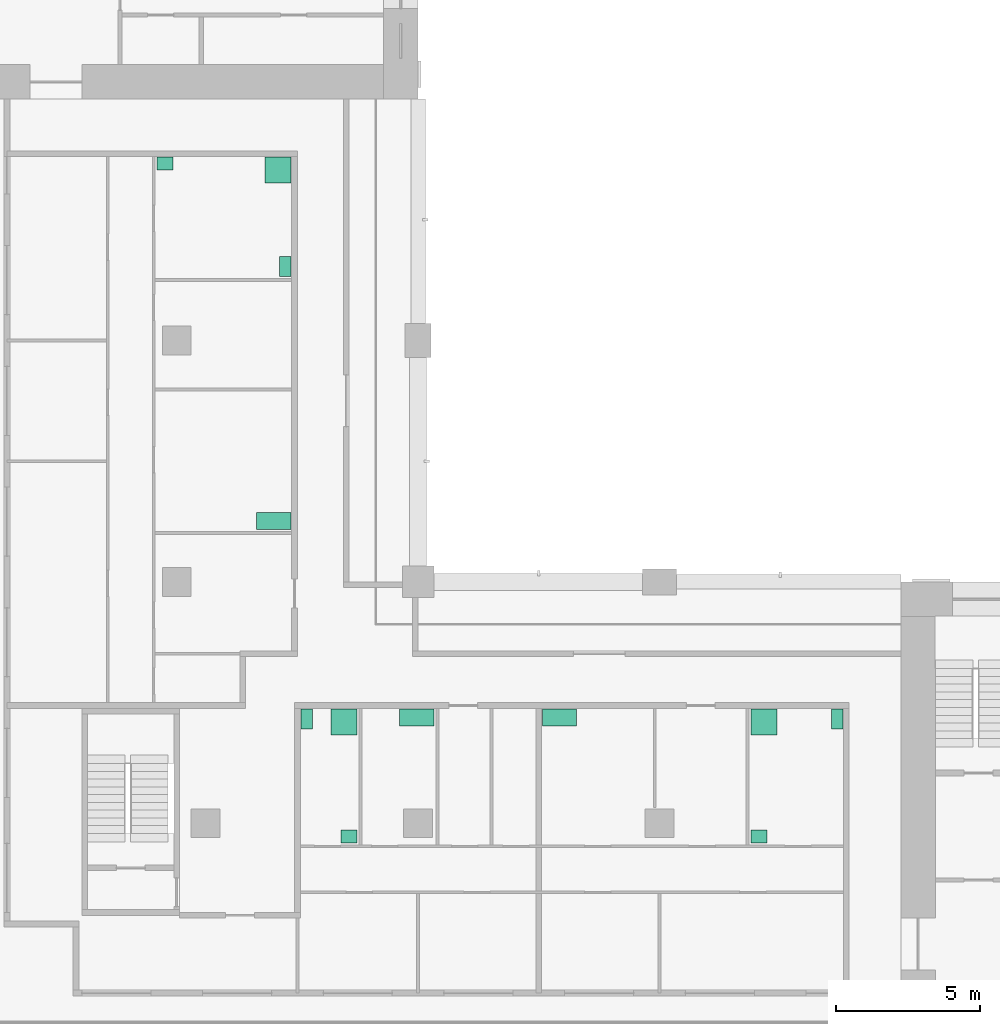
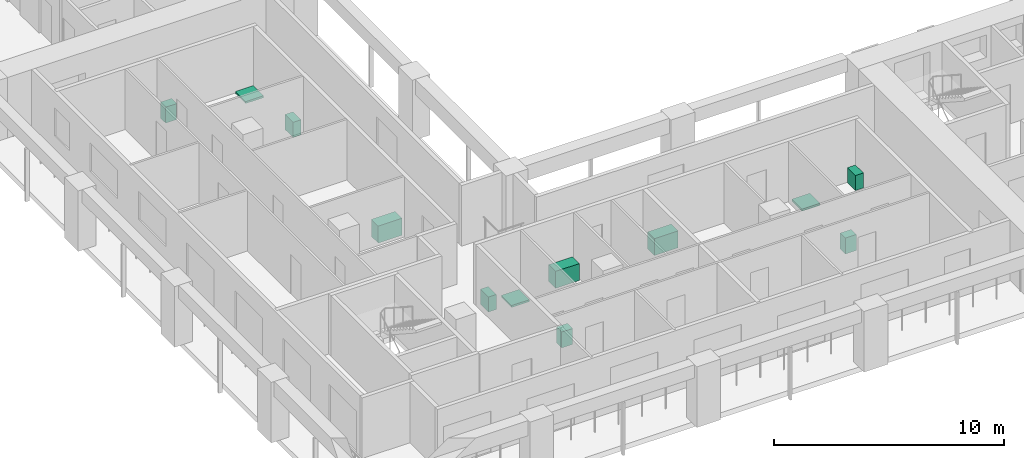
# One storey, part 11 of 11: 12 sanitary terminals.
"""IFC4 building model written with IfcOpenShell, lengths in metres."""

from ifc_helpers import new_model, si_unit, direction, frame, origin, origin_2d, place, context, subcontext, project, spatial, rectangle, extrude, material, element, save


model = new_model("IFC4")

# Units and contexts
model_context = context("Model", 3, precision=1e-05, world=origin(), true_north=direction((0.0, 1.0)))
body_context = subcontext(model_context, "Body", "Model", "MODEL_VIEW")
ifc_project = project(units=[si_unit("LENGTHUNIT", "METRE"), si_unit("AREAUNIT", "SQUARE_METRE"), si_unit("VOLUMEUNIT", "CUBIC_METRE"), si_unit("PLANEANGLEUNIT", "RADIAN"), si_unit("MASSUNIT", "GRAM", prefix="KILO")], contexts=[model_context])

# Site, building, storey
site_placement = place(None, origin())
site = spatial("IfcSite", under=ifc_project, at=site_placement, CompositionType="ELEMENT")
building_placement = place(site_placement, origin())
building = spatial("IfcBuilding", under=site, at=building_placement, Name="Vermilion Gate Residences", CompositionType="ELEMENT")
storey_placement = place(building_placement, frame((0.0, 0.0, 200.199951171875)))
storey = spatial("IfcBuildingStorey", under=building, at=storey_placement, Name="L52", CompositionType="ELEMENT", Elevation=200.199951171875)

# Sanitary terminals
ifc_material_1 = material(Name="Vitreous china")
sanitary_terminal_1_placement = place(storey_placement, frame((22.6201171875, 20.330078125, 0.0), z_axis=(0.0, 0.0, 1.0), x_axis=(1.0, 0.0, 0.0)))
element("IfcSanitaryTerminal", 1, at=sanitary_terminal_1_placement, inside=storey, material=ifc_material_1, Name="Shower tray", PredefinedType="SHOWER", context=body_context, shape_type="SweptSolid", body=[
    extrude(rectangle(XDim=0.89990234375, YDim=0.89990234375, at=origin_2d()), origin(), (0.0, 0.0, 1.0), 0.10009765625),
])
sanitary_terminal_2_placement = place(storey_placement, frame((21.320068359375, 20.429931640625, 0.0), z_axis=(0.0, 0.0, 1.0), x_axis=(1.0, 0.0, 0.0)))
element("IfcSanitaryTerminal", 2, at=sanitary_terminal_2_placement, inside=storey, material=ifc_material_1, Name="Toilet", PredefinedType="TOILETPAN", context=body_context, shape_type="SweptSolid", body=[
    extrude(rectangle(XDim=0.39990234375, YDim=0.699951171875, at=origin_2d()), origin(), (0.0, 0.0, 1.0), 0.800048828125),
])
sanitary_terminal_3_placement = place(storey_placement, frame((22.794921875, 16.344970703125, 0.0), z_axis=(0.0, 0.0, 1.0), x_axis=(1.0, 0.0, 0.0)))
element("IfcSanitaryTerminal", 3, at=sanitary_terminal_3_placement, inside=storey, material=ifc_material_1, Name="Wash basin", PredefinedType="WASHHANDBASIN", context=body_context, shape_type="SweptSolid", body=[
    extrude(rectangle(XDim=0.550048828125, YDim=0.449951171875, at=origin_2d()), origin(), (0.0, 0.0, 1.0), 0.85009765625),
])
ifc_material_2 = material(Name="Stainless steel", Category="steel")
for number, where, z_axis, x_axis, name in (
    (4, (25.154052734375, 20.47998046875, 0.0), (0.0, 0.0, 1.0), (1.0, 0.0, 0.0), "Kitchen sink"),
    (5, (30.1201171875, 20.47998046875, 0.0), (0.0, 0.0, 1.0), (1.0, 0.0, 0.0), "Kitchen sink"),
):
    element("IfcSanitaryTerminal", number, at=place(storey_placement, frame(where, z_axis=z_axis, x_axis=x_axis)), inside=storey, material=ifc_material_2, Name=name, PredefinedType="SINK", context=body_context, shape_type="SweptSolid", body=[
        extrude(rectangle(XDim=1.199951171875, YDim=0.60009765625, at=origin_2d()), origin(), (0.0, 0.0, 1.0), 0.89990234375),
    ])
sanitary_terminal_4_placement = place(storey_placement, frame((37.237060546875, 20.330078125, 0.0), z_axis=(0.0, 0.0, 1.0), x_axis=(1.0, 0.0, 0.0)))
element("IfcSanitaryTerminal", 6, at=sanitary_terminal_4_placement, inside=storey, material=ifc_material_1, Name="Shower tray", PredefinedType="SHOWER", context=body_context, shape_type="SweptSolid", body=[
    extrude(rectangle(XDim=0.89990234375, YDim=0.89990234375, at=origin_2d()), origin(), (0.0, 0.0, 1.0), 0.10009765625),
])
sanitary_terminal_5_placement = place(storey_placement, frame((39.780029296875, 20.429931640625, 0.0), z_axis=(0.0, 0.0, 1.0), x_axis=(1.0, 0.0, 0.0)))
element("IfcSanitaryTerminal", 7, at=sanitary_terminal_5_placement, inside=storey, material=ifc_material_1, Name="Toilet", PredefinedType="TOILETPAN", context=body_context, shape_type="SweptSolid", body=[
    extrude(rectangle(XDim=0.39990234375, YDim=0.699951171875, at=origin_2d()), origin(), (0.0, 0.0, 1.0), 0.800048828125),
])
sanitary_terminal_6_placement = place(storey_placement, frame((37.06201171875, 16.344970703125, 0.0), z_axis=(0.0, 0.0, 1.0), x_axis=(1.0, 0.0, 0.0)))
element("IfcSanitaryTerminal", 8, at=sanitary_terminal_6_placement, inside=storey, material=ifc_material_1, Name="Wash basin", PredefinedType="WASHHANDBASIN", context=body_context, shape_type="SweptSolid", body=[
    extrude(rectangle(XDim=0.550048828125, YDim=0.449951171875, at=origin_2d()), origin(), (0.0, 0.0, 1.0), 0.85009765625),
])
sanitary_terminal_7_placement = place(storey_placement, frame((20.179931640625, 27.320068359375, 0.0), z_axis=(0.0, 0.0, 1.0), x_axis=(1.0, 0.0, 0.0)))
element("IfcSanitaryTerminal", 9, at=sanitary_terminal_7_placement, inside=storey, material=ifc_material_2, Name="Kitchen sink", PredefinedType="SINK", context=body_context, shape_type="SweptSolid", body=[
    extrude(rectangle(XDim=1.199951171875, YDim=0.60009765625, at=origin_2d()), origin(), (0.0, 0.0, 1.0), 0.89990234375),
])
sanitary_terminal_8_placement = place(storey_placement, frame((20.330078125, 39.530029296875, 0.0), z_axis=(0.0, 0.0, 1.0), x_axis=(1.0, 0.0, 0.0)))
element("IfcSanitaryTerminal", 10, at=sanitary_terminal_8_placement, inside=storey, material=ifc_material_1, Name="Shower tray", PredefinedType="SHOWER", context=body_context, shape_type="SweptSolid", body=[
    extrude(rectangle(XDim=0.89990234375, YDim=0.89990234375, at=origin_2d()), origin(), (0.0, 0.0, 1.0), 0.10009765625),
])
sanitary_terminal_9_placement = place(storey_placement, frame((20.580078125, 36.169921875, 0.0), z_axis=(0.0, 0.0, 1.0), x_axis=(1.0, 0.0, 0.0)))
element("IfcSanitaryTerminal", 11, at=sanitary_terminal_9_placement, inside=storey, material=ifc_material_1, Name="Toilet", PredefinedType="TOILETPAN", context=body_context, shape_type="SweptSolid", body=[
    extrude(rectangle(XDim=0.39990234375, YDim=0.699951171875, at=origin_2d()), origin(), (0.0, 0.0, 1.0), 0.800048828125),
])
sanitary_terminal_10_placement = place(storey_placement, frame((16.39501953125, 39.7548828125, 0.0), z_axis=(0.0, 0.0, 1.0), x_axis=(1.0, 0.0, 0.0)))
element("IfcSanitaryTerminal", 12, at=sanitary_terminal_10_placement, inside=storey, material=ifc_material_1, Name="Wash basin", PredefinedType="WASHHANDBASIN", context=body_context, shape_type="SweptSolid", body=[
    extrude(rectangle(XDim=0.550048828125, YDim=0.449951171875, at=origin_2d()), origin(), (0.0, 0.0, 1.0), 0.85009765625),
])

save(model, "model.ifc")
